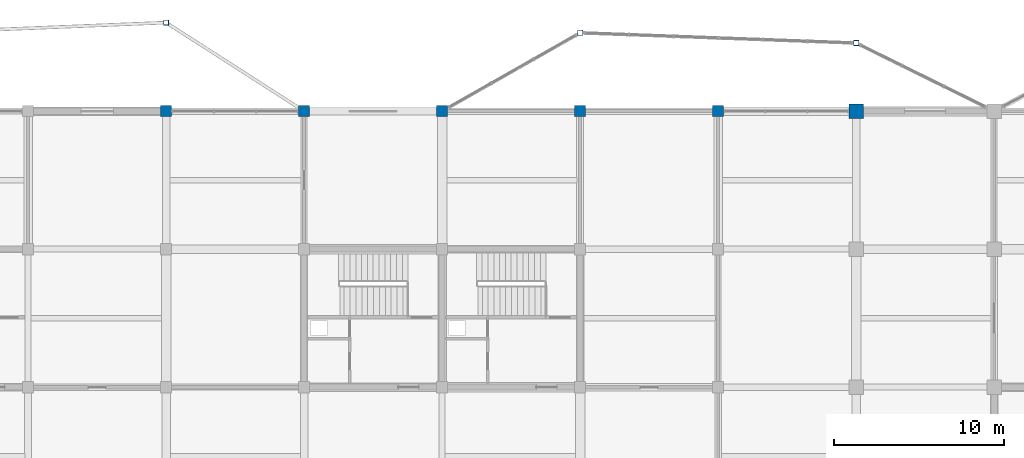
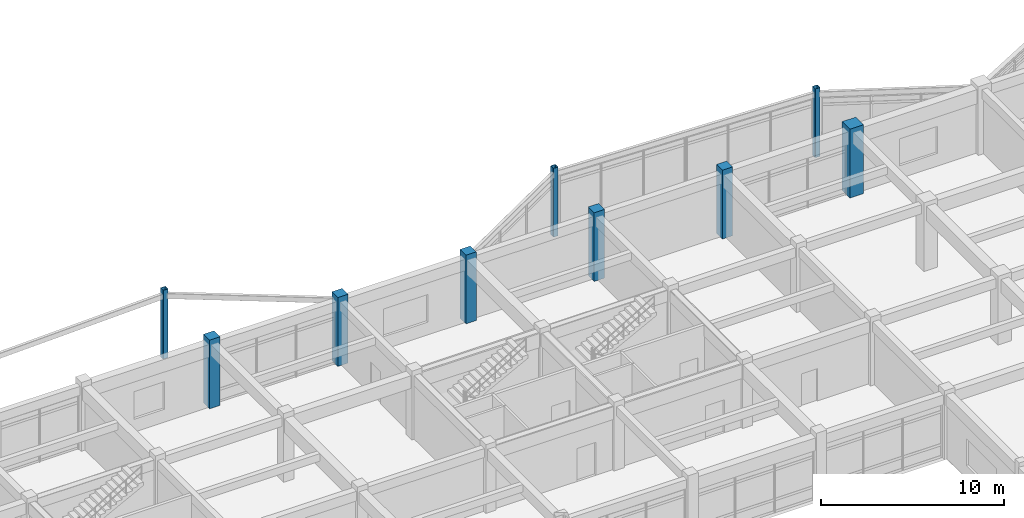
# One storey, part 16 of 93: 9 columns.
"""IFC4 building model written with IfcOpenShell, lengths in metres."""

import ifcopenshell
import ifcopenshell.guid

model = None  # the IFC model being written
_history = None  # IfcOwnerHistory: only IFC2X3 demands one
_inside = {}  # id of a spatial element -> (the spatial element, [elements in it])
_under = {}  # id of a project, library or spatial element -> (it, [spatial elements below it])
_declared = {}  # id of a project -> (the project, [libraries it declares])
_typed = {}  # id of a type object -> (the type object, [elements of that type])
_made_of = {}  # id of a material, layer set ... -> (it, [elements and type objects made of it])


def new_model(schema):
    """Start an empty IFC model of exactly this schema.

    Asked for "IFC4X3", IfcOpenShell would pick the latest addendum, in which some entities
    have other attributes; the version numbers below select the first issue.
    IFC2X3 requires an IfcOwnerHistory on every rooted entity: one is made here for all.
    """
    global model, _history
    if schema == "IFC4X3":
        model = ifcopenshell.file(schema_version=(4, 3, 0, 0))
    else:
        model = ifcopenshell.file(schema=schema)
    _inside.clear()
    _under.clear()
    _declared.clear()
    _typed.clear()
    _made_of.clear()
    _history = None
    if model.schema == "IFC2X3":
        org = make("IfcOrganization", Name="unknown")
        user = make(
            "IfcPersonAndOrganization",
            ThePerson=make("IfcPerson", FamilyName="unknown"),
            TheOrganization=org,
        )
        app = make(
            "IfcApplication",
            ApplicationDeveloper=org,
            Version="unknown",
            ApplicationFullName="unknown",
            ApplicationIdentifier="unknown",
        )
        _history = make(
            "IfcOwnerHistory",
            OwningUser=user,
            OwningApplication=app,
            ChangeAction="ADDED",
            CreationDate=0,
        )
    return model


def make(cls, **values):
    """One entity of the class cls with the attributes given. An attribute that is None is left unset."""
    return model.create_entity(
        cls, **{name: value for name, value in values.items() if value is not None}
    )


def rooted(cls, **values):
    """An entity with a GlobalId (a new one), such as an element, a storey or a relation."""
    return make(cls, GlobalId=ifcopenshell.guid.new(), OwnerHistory=_history, **values)


def si_unit(unit_type, name, prefix=None):
    """IfcSIUnit, for example si_unit("LENGTHUNIT", "METRE", prefix="MILLI")."""
    return make("IfcSIUnit", UnitType=unit_type, Prefix=prefix, Name=name)


def assignment(units):
    """IfcUnitAssignment: the units of a project."""
    return None if units is None else make("IfcUnitAssignment", Units=units)


def point(xyz):
    """IfcCartesianPoint."""
    return None if xyz is None else make("IfcCartesianPoint", Coordinates=xyz)


def direction(xyz):
    """IfcDirection."""
    return None if xyz is None else make("IfcDirection", DirectionRatios=xyz)


def frame(location, z_axis=None, x_axis=None):
    """IfcAxis2Placement3D, a coordinate frame: its origin and axes. An axis left out is left unset."""
    return make(
        "IfcAxis2Placement3D",
        Location=point(location),
        Axis=direction(z_axis),
        RefDirection=direction(x_axis),
    )


def frame_2d(location, x_axis=None):
    """IfcAxis2Placement2D, a coordinate frame in the plane: its origin and x axis."""
    return make(
        "IfcAxis2Placement2D", Location=point(location), RefDirection=direction(x_axis)
    )


def origin():
    """The frame at (0, 0, 0) with its axes left unset."""
    return frame((0.0, 0.0, 0.0))


def origin_2d():
    """The frame at (0, 0) in the plane with its x axis left unset."""
    return frame_2d((0.0, 0.0))


def place(relative_to, where):
    """IfcLocalPlacement: puts the frame where relative to a parent placement (None: the world)."""
    return make(
        "IfcLocalPlacement", PlacementRelTo=relative_to, RelativePlacement=where
    )


def context(
    kind, dimensions, precision=None, world=None, true_north=None, identifier=None
):
    """IfcGeometricRepresentationContext, for example the 3D "Model" context."""
    return make(
        "IfcGeometricRepresentationContext",
        ContextIdentifier=identifier,
        ContextType=kind,
        CoordinateSpaceDimension=dimensions,
        Precision=precision,
        WorldCoordinateSystem=world,
        TrueNorth=true_north,
    )


def subcontext(parent, identifier, kind, view, scale=None):
    """IfcGeometricRepresentationSubContext, for example "Body" below "Model"."""
    return make(
        "IfcGeometricRepresentationSubContext",
        ContextIdentifier=identifier,
        ContextType=kind,
        ParentContext=parent,
        TargetScale=scale,
        TargetView=view,
    )


def project(units=None, contexts=None):
    """IfcProject with its units and contexts."""
    return rooted(
        "IfcProject",
        Name="project",
        RepresentationContexts=contexts,
        UnitsInContext=assignment(units),
    )


def spatial(cls, under=None, at=None, **own):
    """A site, building, storey or space (cls), placed at a placement, below another one or the project."""
    s = rooted(cls, ObjectPlacement=at, **own)
    if under is not None:
        _under.setdefault(under.id(), (under, []))[1].append(s)
    return s


def profile(cls, at=None, kind="AREA", **sizes):
    """A parametric profile (cls). Its sizes go by their IFC names, for example OverallWidth=200.0."""
    return make(cls, ProfileType=kind, Position=at, **sizes)


def rectangle(**sizes):
    """IfcRectangleProfileDef."""
    return profile("IfcRectangleProfileDef", **sizes)


def hollow_rectangle(**sizes):
    """IfcRectangleHollowProfileDef."""
    return profile("IfcRectangleHollowProfileDef", **sizes)


def extrude(swept, where, along, depth):
    """IfcExtrudedAreaSolid: the profile swept, set in the frame where, extruded along a direction by depth."""
    return make(
        "IfcExtrudedAreaSolid",
        SweptArea=swept,
        Position=where,
        ExtrudedDirection=direction(along),
        Depth=depth,
    )


def shape(context_of_items, identifier, shape_type, items):
    """IfcShapeRepresentation: the items that make up one representation, for example the "Body"."""
    return make(
        "IfcShapeRepresentation",
        ContextOfItems=context_of_items,
        RepresentationIdentifier=identifier,
        RepresentationType=shape_type,
        Items=items,
    )


def material(Name=None, Category=None):
    """IfcMaterial."""
    return make("IfcMaterial", Name=Name, Category=Category)


def material_profile(
    of_material, cross_section, Name=None, Category=None, Priority=None
):
    """IfcMaterialProfile: a cross section and its material."""
    return make(
        "IfcMaterialProfile",
        Name=Name,
        Material=of_material,
        Profile=cross_section,
        Priority=Priority,
        Category=Category,
    )


def profile_set(profiles, Name=None, composite=None):
    """IfcMaterialProfileSet."""
    return make(
        "IfcMaterialProfileSet",
        Name=Name,
        MaterialProfiles=profiles,
        CompositeProfile=composite,
    )


def made_of(thing, what):
    """Note that an element or type object is made of a material, layer set ...; save() writes the relation."""
    if what is not None:
        _made_of.setdefault(what.id(), (what, []))[1].append(thing)
    return thing


def type_object(cls, material=None, **own):
    """A type object (cls), such as IfcWallType, which elements share."""
    return made_of(rooted(cls, **own), material)


def element(
    cls,
    number,
    at=None,
    inside=None,
    cuts=None,
    type_object=None,
    material=None,
    context=None,
    identifier="Body",
    shape_type=None,
    held_by="IfcProductDefinitionShape",
    body=None,
    shapes=None,
    **own,
):
    """One element of the class cls, such as IfcWall. Its Tag is "e" and its number.

    at: its placement. inside: the storey or other place that contains it. cuts: it is an
    opening in that element (IfcRelVoidsElement). A single representation is given by context,
    identifier, shape_type and body (its items); several are given by shapes. held_by: the class
    of the entity that holds the representations. save() writes the other relations.
    """
    e = rooted(cls, Tag="e%d" % number, ObjectPlacement=at, **own)
    if body is not None:
        shapes = [shape(context, identifier, shape_type, body)]
    if shapes is not None:
        e.Representation = make(held_by, Representations=shapes)
    if inside is not None:
        _inside.setdefault(inside.id(), (inside, []))[1].append(e)
    if cuts is not None:
        rooted(
            "IfcRelVoidsElement", RelatingBuildingElement=cuts, RelatedOpeningElement=e
        )
    if type_object is not None:
        _typed.setdefault(type_object.id(), (type_object, []))[1].append(e)
    return made_of(e, material)


def aggregate(whole, parts):
    """IfcRelAggregates: a whole, such as a stair, and the parts it consists of."""
    return rooted("IfcRelAggregates", RelatingObject=whole, RelatedObjects=parts)


def save(model, path):
    """Write the relations noted so far, then the file.

    IfcRelAggregates (storeys below a building ...), IfcRelContainedInSpatialStructure (elements
    in a storey), IfcRelDefinesByType, IfcRelAssociatesMaterial and IfcRelDeclares: one each for
    every whole, place, type object, material and project.
    """
    for whole, parts in _under.values():
        aggregate(whole, parts)
    for where, things in _inside.values():
        rooted(
            "IfcRelContainedInSpatialStructure",
            RelatedElements=things,
            RelatingStructure=where,
        )
    for kind, things in _typed.values():
        rooted("IfcRelDefinesByType", RelatedObjects=things, RelatingType=kind)
    for what, things in _made_of.values():
        rooted("IfcRelAssociatesMaterial", RelatedObjects=things, RelatingMaterial=what)
    for by, libraries in _declared.values():
        rooted("IfcRelDeclares", RelatingContext=by, RelatedDefinitions=libraries)
    model.write(path)


model = new_model("IFC4")

# Units and contexts
model_context = context("Model", 3, precision=1e-05, world=origin(), true_north=direction((0.0, 1.0)))
body_context = subcontext(model_context, "Body", "Model", "MODEL_VIEW")
ifc_project = project(units=[si_unit("LENGTHUNIT", "METRE"), si_unit("AREAUNIT", "SQUARE_METRE"), si_unit("VOLUMEUNIT", "CUBIC_METRE"), si_unit("PLANEANGLEUNIT", "RADIAN"), si_unit("MASSUNIT", "GRAM", prefix="KILO")], contexts=[model_context])

# Site, building, storey
site_placement = place(None, origin())
site = spatial("IfcSite", under=ifc_project, at=site_placement, CompositionType="ELEMENT")
building_placement = place(site_placement, origin())
building = spatial("IfcBuilding", under=site, at=building_placement, Name="Vaudrelin Polytechnic", CompositionType="ELEMENT")
storey_placement = place(building_placement, frame((0.0, 0.0, 5.10009765625)))
storey = spatial("IfcBuildingStorey", under=building, at=storey_placement, Name="L01", CompositionType="ELEMENT", Elevation=5.10009765625)

# Columns
ifc_material_1 = material(Name="Steel CSA G40.21 350WT", Category="steel")
ifc_material_profile_1 = material_profile(ifc_material_1, hollow_rectangle(XDim=0.304931640625, YDim=0.304931640625, WallThickness=0.0126953125, InnerFilletRadius=0.0126953125, OuterFilletRadius=0.025390625, at=origin_2d()), Name="HSS305x305x12.7")
ifc_profile_set_1 = profile_set([ifc_material_profile_1], Name="Steel CSA G40.21 350WT")
column_type_1 = type_object("IfcColumnType", Name="COL-C-HSS305", PredefinedType="COLUMN", material=ifc_profile_set_1)
for number, where, z_axis, x_axis, name in (
    (1, (97.199951171875, 126.699951171875, 0.0), (0.0, 0.0, 1.0), (1.0, 0.0, 0.0), "Deconstructivist column L01 N_OR2_2"),
    (2, (121.5, 126.10009765625, 0.0), (0.0, 0.0, 1.0), (1.0, 0.0, 0.0), "Deconstructivist column L01 N_OR3_1"),
    (3, (137.699951171875, 125.5, 0.0), (0.0, 0.0, 1.0), (1.0, 0.0, 0.0), "Deconstructivist column L01 N_OR3_2"),
):
    element("IfcColumn", number, at=place(storey_placement, frame(where, z_axis=z_axis, x_axis=x_axis)), inside=storey, type_object=column_type_1, Name=name, PredefinedType="COLUMN", context=body_context, shape_type="SweptSolid", body=[
        extrude(hollow_rectangle(XDim=0.304931640625, YDim=0.304931640625, WallThickness=0.0126953125, InnerFilletRadius=0.0126953125, OuterFilletRadius=0.025390625, at=origin_2d()), origin(), (0.0, 0.0, 1.0), 4.58984375),
    ])
ifc_material_2 = material(Name="Concrete 40 MPa", Category="concrete")
ifc_material_profile_2 = material_profile(ifc_material_2, rectangle(XDim=0.64990234375, YDim=0.64990234375, at=origin_2d()), Name="RC650x650")
ifc_profile_set_2 = profile_set([ifc_material_profile_2], Name="Concrete 40 MPa")
column_type_2 = type_object("IfcColumnType", Name="COL-C-RC650", PredefinedType="COLUMN", material=ifc_profile_set_2)
for number, where, z_axis, x_axis, name in (
    (4, (97.199951171875, 121.5, 0.0), (0.0, 0.0, 1.0), (1.0, 0.0, 0.0), "Column L01 13-16"),
    (5, (105.300048828125, 121.5, 0.0), (0.0, 0.0, 1.0), (1.0, 0.0, 0.0), "Column L01 14-16"),
    (6, (113.39990234375, 121.5, 0.0), (0.0, 0.0, 1.0), (1.0, 0.0, 0.0), "Column L01 15-16"),
    (7, (121.5, 121.5, 0.0), (0.0, 0.0, 1.0), (1.0, 0.0, 0.0), "Column L01 16-16"),
    (8, (129.60009765625, 121.5, 0.0), (0.0, 0.0, 1.0), (1.0, 0.0, 0.0), "Column L01 17-16"),
):
    element("IfcColumn", number, at=place(storey_placement, frame(where, z_axis=z_axis, x_axis=x_axis)), inside=storey, type_object=column_type_2, Name=name, PredefinedType="COLUMN", context=body_context, shape_type="SweptSolid", body=[
        extrude(rectangle(XDim=0.64990234375, YDim=0.64990234375, at=origin_2d()), origin(), (0.0, 0.0, 1.0), 4.58984375),
    ])
ifc_material_3 = material(Name="Concrete 50 MPa", Category="concrete")
ifc_material_profile_3 = material_profile(ifc_material_3, rectangle(XDim=0.85009765625, YDim=0.85009765625, at=origin_2d()), Name="RC850x850")
ifc_profile_set_3 = profile_set([ifc_material_profile_3], Name="Concrete 50 MPa")
column_type_3 = type_object("IfcColumnType", Name="COL-C-RC850", PredefinedType="COLUMN", material=ifc_profile_set_3)
column_placement = place(storey_placement, frame((137.699951171875, 121.5, 0.0), z_axis=(0.0, 0.0, 1.0), x_axis=(1.0, 0.0, 0.0)))
element("IfcColumn", 9, at=column_placement, inside=storey, type_object=column_type_3, Name="Column L01 18-16", PredefinedType="COLUMN", context=body_context, shape_type="SweptSolid", body=[
    extrude(rectangle(XDim=0.85009765625, YDim=0.85009765625, at=origin_2d()), origin(), (0.0, 0.0, 1.0), 4.58984375),
])

save(model, "model.ifc")
